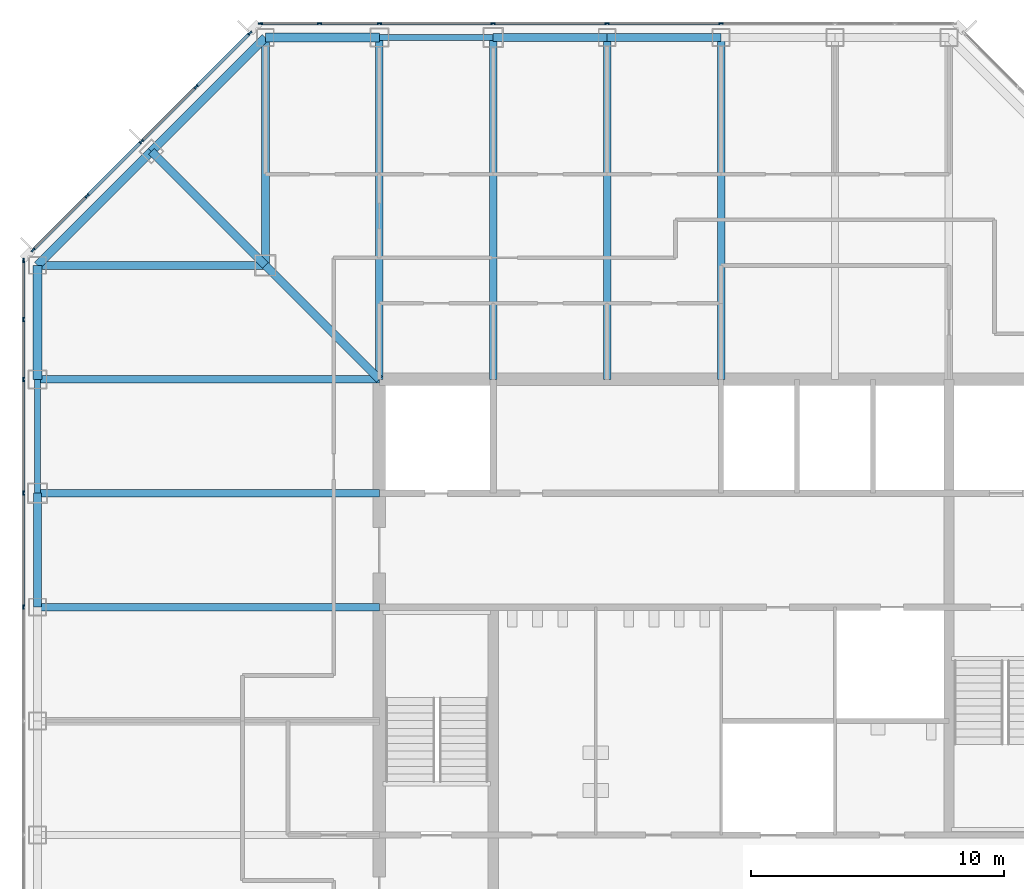
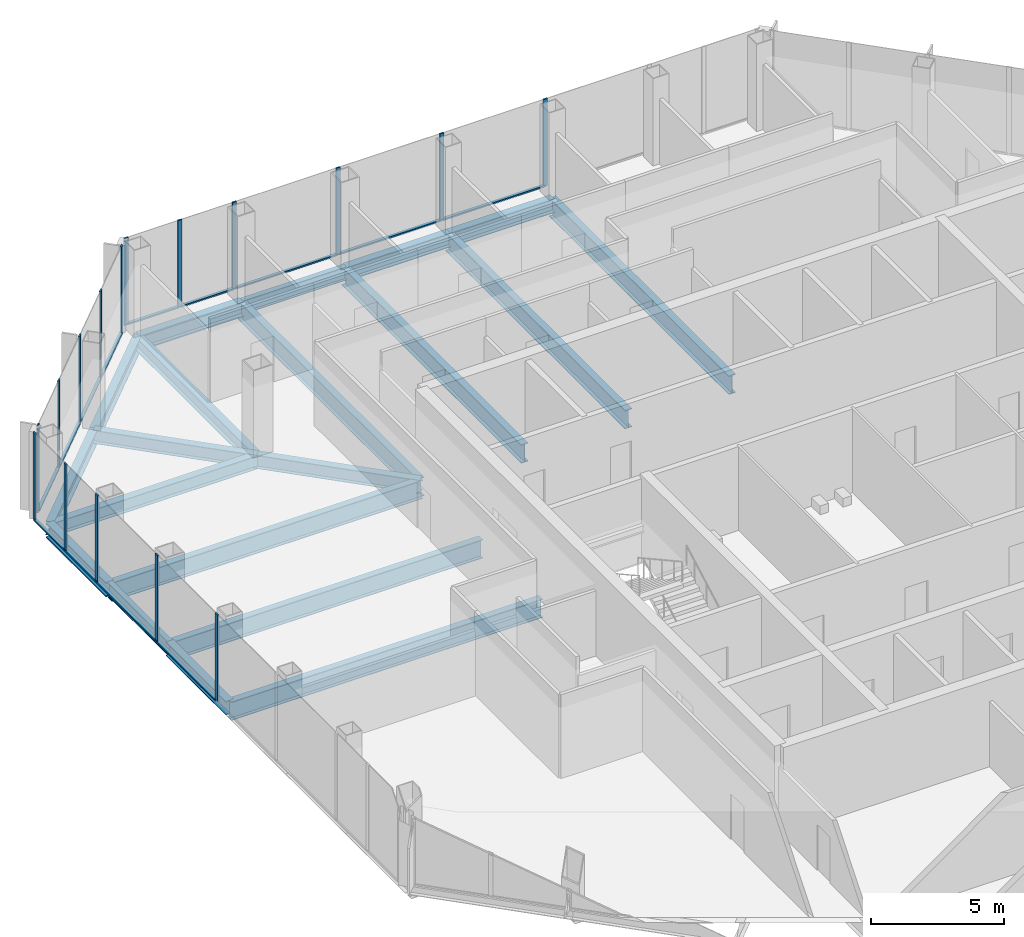
# One storey, part 5 of 13: 29 members, 20 beams, 3 elements without a shape of their own.
"""IFC4 building model written with IfcOpenShell, lengths in metres."""

from ifc_helpers import new_model, si_unit, direction, frame, origin, origin_2d, place, context, subcontext, project, spatial, rectangle, i_section, extrude, material, material_profile, profile_set, type_object, element, aggregate, save


model = new_model("IFC4")

# Units and contexts
model_context = context("Model", 3, precision=1e-05, world=origin(), true_north=direction((0.0, 1.0)))
body_context = subcontext(model_context, "Body", "Model", "MODEL_VIEW")
ifc_project = project(units=[si_unit("LENGTHUNIT", "METRE"), si_unit("AREAUNIT", "SQUARE_METRE"), si_unit("VOLUMEUNIT", "CUBIC_METRE"), si_unit("PLANEANGLEUNIT", "RADIAN"), si_unit("MASSUNIT", "GRAM", prefix="KILO")], contexts=[model_context])

# Site, building, storey
site_placement = place(None, origin())
site = spatial("IfcSite", under=ifc_project, at=site_placement, CompositionType="ELEMENT")
building_placement = place(site_placement, origin())
building = spatial("IfcBuilding", under=site, at=building_placement, Name="Corais Broadcast Tower", CompositionType="ELEMENT")
storey_placement = place(building_placement, frame((0.0, 0.0, 171.60009765625)))
storey = spatial("IfcBuildingStorey", under=building, at=storey_placement, Name="L39", CompositionType="ELEMENT", Elevation=171.60009765625)

# Beams
ifc_material_1 = material(Name="Steel ASTM A572 Grade 50", Category="steel")
ifc_material_profile_1 = material_profile(ifc_material_1, i_section(OverallWidth=0.323974609375, OverallDepth=0.611083984375, WebThickness=0.0126953125, FlangeThickness=0.01904296875, at=origin_2d()), Name="W610x155")
ifc_profile_set_1 = profile_set([ifc_material_profile_1], Name="Steel ASTM A572 Grade 50")
beam_type_1 = type_object("IfcBeamType", Name="Chamfer tie W610x155", PredefinedType="BEAM", material=ifc_profile_set_1)
beam_1_placement = place(storey_placement, frame((4.5, 49.5, -0.465576171875), z_axis=(0.707106781187, -0.707106781187, 0.0), x_axis=(0.707106781187, 0.707106781187, 0.0)))
element("IfcBeam", 1, at=beam_1_placement, inside=storey, type_object=beam_type_1, Name="B5 M/4 to L/5", PredefinedType="BEAM", context=body_context, shape_type="SweptSolid", body=[
    extrude(i_section(OverallWidth=0.323974609375, OverallDepth=0.611083984375, WebThickness=0.0126953125, FlangeThickness=0.01904296875, at=origin_2d()), origin(), (0.0, 0.0, 1.0), 6.364013671875),
])
ifc_material_2 = material(Name="Steel ASTM A572 Grade 50", Category="steel")
ifc_material_profile_2 = material_profile(ifc_material_2, i_section(OverallWidth=0.323974609375, OverallDepth=0.611083984375, WebThickness=0.0126953125, FlangeThickness=0.01904296875, at=origin_2d()), Name="W610x155")
ifc_profile_set_2 = profile_set([ifc_material_profile_2], Name="Steel ASTM A572 Grade 50")
beam_type_2 = type_object("IfcBeamType", Name="Corner diagonal W610x155", PredefinedType="BEAM", material=ifc_profile_set_2)
beam_2_placement = place(storey_placement, frame((9.0, 45.0, -0.465576171875), z_axis=(0.707106781187, -0.707106781187, 0.0), x_axis=(0.707106781187, 0.707106781187, 0.0)))
element("IfcBeam", 2, at=beam_2_placement, inside=storey, type_object=beam_type_2, Name="B6 L/5 to K/6", PredefinedType="BEAM", context=body_context, shape_type="SweptSolid", body=[
    extrude(i_section(OverallWidth=0.323974609375, OverallDepth=0.611083984375, WebThickness=0.0126953125, FlangeThickness=0.01904296875, at=origin_2d()), origin(), (0.0, 0.0, 1.0), 6.364013671875),
])
ifc_material_3 = material(Name="Steel ASTM A572 Grade 50", Category="steel")
ifc_material_profile_3 = material_profile(ifc_material_3, i_section(OverallWidth=0.323974609375, OverallDepth=0.611083984375, WebThickness=0.0126953125, FlangeThickness=0.01904296875, at=origin_2d()), Name="W610x155")
ifc_profile_set_3 = profile_set([ifc_material_profile_3], Name="Steel ASTM A572 Grade 50")
beam_type_3 = type_object("IfcBeamType", Name="Corner girder W610x155", PredefinedType="BEAM", material=ifc_profile_set_3)
for number, where, z_axis, x_axis, name in (
    (3, (0.0, 45.0, -0.465576171875), (1.0, 0.0, 0.0), (0.0, 1.0, 0.0), "B4 L/3 to L/5"),
    (4, (9.0, 54.0, -0.465576171875), (0.0, -1.0, 0.0), (1.0, 0.0, 0.0), "B4 N/5 to L/5"),
):
    element("IfcBeam", number, at=place(storey_placement, frame(where, z_axis=z_axis, x_axis=x_axis)), inside=storey, type_object=beam_type_3, Name=name, PredefinedType="BEAM", context=body_context, shape_type="SweptSolid", body=[
        extrude(i_section(OverallWidth=0.323974609375, OverallDepth=0.611083984375, WebThickness=0.0126953125, FlangeThickness=0.01904296875, at=origin_2d()), origin(), (0.0, 0.0, 1.0), 9.0),
    ])
ifc_material_4 = material(Name="Steel ASTM A572 Grade 50", Category="steel")
ifc_material_profile_4 = material_profile(ifc_material_4, i_section(OverallWidth=0.337890625, OverallDepth=0.677978515625, WebThickness=0.029541015625, FlangeThickness=0.052978515625, at=origin_2d()), Name="W610x415")
ifc_profile_set_4 = profile_set([ifc_material_profile_4], Name="Steel ASTM A572 Grade 50")
beam_type_4 = type_object("IfcBeamType", Name="Corner spandrel W610x415", PredefinedType="BEAM", material=ifc_profile_set_4)
for number, where, z_axis, x_axis, name in (
    (5, (0.0, 45.0, -0.4990234375), (0.0, -1.0, 0.0), (1.0, 0.0, 0.0), "SB10 L/3 to K/3"),
    (6, (13.5, 54.0, -0.4990234375), (-1.0, 0.0, 0.0), (0.0, -1.0, 0.0), "SB10 N/6 to N/5"),
):
    element("IfcBeam", number, at=place(storey_placement, frame(where, z_axis=z_axis, x_axis=x_axis)), inside=storey, type_object=beam_type_4, Name=name, PredefinedType="BEAM", context=body_context, shape_type="SweptSolid", body=[
        extrude(i_section(OverallWidth=0.337890625, OverallDepth=0.677978515625, WebThickness=0.029541015625, FlangeThickness=0.052978515625, at=origin_2d()), origin(), (0.0, 0.0, 1.0), 4.5),
    ])
ifc_material_5 = material(Name="Steel ASTM A572 Grade 50", Category="steel")
ifc_material_profile_5 = material_profile(ifc_material_5, i_section(OverallWidth=0.2939453125, OverallDepth=0.85107421875, WebThickness=0.01611328125, FlangeThickness=0.02685546875, at=origin_2d()), Name="W840x226")
ifc_profile_set_5 = profile_set([ifc_material_profile_5], Name="Steel ASTM A572 Grade 50")
beam_type_5 = type_object("IfcBeamType", Name="Floor beam W840x226", PredefinedType="BEAM", material=ifc_profile_set_5)
for number, where, z_axis, x_axis, name in (
    (7, (0.0, 31.5, -0.585693359375), (1.0, 0.0, 0.0), (0.0, 1.0, 0.0), "B1 H/3 to H/6"),
    (8, (0.0, 36.0, -0.585693359375), (1.0, 0.0, 0.0), (0.0, 1.0, 0.0), "B1 J/3 to J/6"),
    (9, (0.0, 40.5, -0.585693359375), (1.0, 0.0, 0.0), (0.0, 1.0, 0.0), "B1 K/3 to K/6"),
    (10, (13.5, 54.0, -0.585693359375), (0.0, -1.0, 0.0), (1.0, 0.0, 0.0), "B1 N/6 to K/6"),
    (11, (18.0, 54.0, -0.585693359375), (0.0, -1.0, 0.0), (1.0, 0.0, 0.0), "B1 N/7 to K/7"),
    (12, (22.5, 54.0, -0.585693359375), (0.0, -1.0, 0.0), (1.0, 0.0, 0.0), "B1 N/8 to K/8"),
    (13, (27.0, 54.0, -0.585693359375), (0.0, -1.0, 0.0), (1.0, 0.0, 0.0), "B1 N/9 to K/9"),
):
    element("IfcBeam", number, at=place(storey_placement, frame(where, z_axis=z_axis, x_axis=x_axis)), inside=storey, type_object=beam_type_5, Name=name, PredefinedType="BEAM", context=body_context, shape_type="SweptSolid", body=[
        extrude(i_section(OverallWidth=0.2939453125, OverallDepth=0.85107421875, WebThickness=0.01611328125, FlangeThickness=0.02685546875, at=origin_2d()), origin(), (0.0, 0.0, 1.0), 13.5),
    ])

# Curtain wall, members
ifc_material_6 = material(Name="Aluminium and glass", Category="aluminium")
curtain_wall_type = type_object("IfcCurtainWallType", Name="Unitised fritted curtain wall CW2", PredefinedType="NOTDEFINED", material=ifc_material_6)
curtain_wall_1_placement = place(storey_placement, origin())
curtain_wall_1 = element("IfcCurtainWall", 14, at=curtain_wall_1_placement, inside=storey, type_object=curtain_wall_type, Name="CW2 curtain wall L39 2", PredefinedType="NOTDEFINED")
ifc_material_7 = material(Name="Aluminium 6063-T6", Category="aluminium")
ifc_material_profile_6 = material_profile(ifc_material_7, rectangle(XDim=0.06494140625, YDim=0.179931640625, at=origin_2d()), Name="Mullion CW2 65x180")
ifc_profile_set_6 = profile_set([ifc_material_profile_6], Name="Aluminium 6063-T6")
member_type_1 = type_object("IfcMemberType", Name="Mullion CW2 65x180", PredefinedType="MULLION", material=ifc_profile_set_6)
member_1_placement = place(storey_placement, frame((-0.550048828125, 31.5, 0.0), z_axis=(0.0, 0.0, 1.0), x_axis=(-1.0, 0.0, 0.0)))
member_1 = element("IfcMember", 15, at=member_1_placement, type_object=member_type_1, Name="CW2 mullion 5", PredefinedType="MULLION", context=body_context, shape_type="SweptSolid", body=[
    extrude(rectangle(XDim=0.06494140625, YDim=0.179931640625, at=origin_2d()), origin(), (0.0, 0.0, 1.0), 4.0),
])
member_2_placement = place(storey_placement, frame((-0.550048828125, 36.0, 0.0), z_axis=(0.0, 0.0, 1.0), x_axis=(-1.0, 0.0, 0.0)))
member_2 = element("IfcMember", 16, at=member_2_placement, type_object=member_type_1, Name="CW2 mullion 6", PredefinedType="MULLION", context=body_context, shape_type="SweptSolid", body=[
    extrude(rectangle(XDim=0.06494140625, YDim=0.179931640625, at=origin_2d()), origin(), (0.0, 0.0, 1.0), 4.0),
])
member_3_placement = place(storey_placement, frame((-0.550048828125, 40.5, 0.0), z_axis=(0.0, 0.0, 1.0), x_axis=(-1.0, 0.0, 0.0)))
member_3 = element("IfcMember", 17, at=member_3_placement, type_object=member_type_1, Name="CW2 mullion 7", PredefinedType="MULLION", context=body_context, shape_type="SweptSolid", body=[
    extrude(rectangle(XDim=0.06494140625, YDim=0.179931640625, at=origin_2d()), origin(), (0.0, 0.0, 1.0), 4.0),
])
member_4_placement = place(storey_placement, frame((-0.550048828125, 42.864013671875, 0.0), z_axis=(0.0, 0.0, 1.0), x_axis=(-1.0, 0.0, 0.0)))
member_4 = element("IfcMember", 18, at=member_4_placement, type_object=member_type_1, Name="CW2 mullion 8", PredefinedType="MULLION", context=body_context, shape_type="SweptSolid", body=[
    extrude(rectangle(XDim=0.06494140625, YDim=0.179931640625, at=origin_2d()), origin(), (0.0, 0.0, 1.0), 4.0),
])
member_5_placement = place(storey_placement, frame((-0.550048828125, 45.1953125, 0.0), z_axis=(0.0, 0.0, 1.0), x_axis=(-1.0, 0.0, 0.0)))
member_5 = element("IfcMember", 19, at=member_5_placement, type_object=member_type_1, Name="CW2 mullion 9", PredefinedType="MULLION", context=body_context, shape_type="SweptSolid", body=[
    extrude(rectangle(XDim=0.06494140625, YDim=0.179931640625, at=origin_2d()), origin(), (0.0, 0.0, 1.0), 4.0),
])

curtain_wall_2_placement = place(storey_placement, origin())
curtain_wall_2 = element("IfcCurtainWall", 20, at=curtain_wall_2_placement, inside=storey, type_object=curtain_wall_type, Name="CW2 curtain wall L39 3", PredefinedType="NOTDEFINED")
member_6_placement = place(storey_placement, frame((-0.17333984375, 45.6044921875, 0.0), z_axis=(0.0, 0.0, 1.0), x_axis=(-0.707106781187, 0.707106781187, 0.0)))
member_6 = element("IfcMember", 21, at=member_6_placement, type_object=member_type_1, Name="CW2 mullion 1", PredefinedType="MULLION", context=body_context, shape_type="SweptSolid", body=[
    extrude(rectangle(XDim=0.06494140625, YDim=0.179931640625, at=origin_2d()), origin(), (0.0, 0.0, 1.0), 4.0),
])
member_7_placement = place(storey_placement, frame((1.957275390625, 47.735107421875, 0.0), z_axis=(0.0, 0.0, 1.0), x_axis=(-0.707106781187, 0.707106781187, 0.0)))
member_7 = element("IfcMember", 22, at=member_7_placement, type_object=member_type_1, Name="CW2 mullion 2", PredefinedType="MULLION", context=body_context, shape_type="SweptSolid", body=[
    extrude(rectangle(XDim=0.06494140625, YDim=0.179931640625, at=origin_2d()), origin(), (0.0, 0.0, 1.0), 4.0),
])
member_8_placement = place(storey_placement, frame((4.111083984375, 49.888916015625, 0.0), z_axis=(0.0, 0.0, 1.0), x_axis=(-0.707106781187, 0.707106781187, 0.0)))
member_8 = element("IfcMember", 23, at=member_8_placement, type_object=member_type_1, Name="CW2 mullion 3", PredefinedType="MULLION", context=body_context, shape_type="SweptSolid", body=[
    extrude(rectangle(XDim=0.06494140625, YDim=0.179931640625, at=origin_2d()), origin(), (0.0, 0.0, 1.0), 4.0),
])
member_9_placement = place(storey_placement, frame((6.264892578125, 52.042724609375, 0.0), z_axis=(0.0, 0.0, 1.0), x_axis=(-0.707106781187, 0.707106781187, 0.0)))
member_9 = element("IfcMember", 24, at=member_9_placement, type_object=member_type_1, Name="CW2 mullion 4", PredefinedType="MULLION", context=body_context, shape_type="SweptSolid", body=[
    extrude(rectangle(XDim=0.06494140625, YDim=0.179931640625, at=origin_2d()), origin(), (0.0, 0.0, 1.0), 4.0),
])
member_10_placement = place(storey_placement, frame((8.3955078125, 54.17333984375, 0.0), z_axis=(0.0, 0.0, 1.0), x_axis=(-0.707106781187, 0.707106781187, 0.0)))
member_10 = element("IfcMember", 25, at=member_10_placement, type_object=member_type_1, Name="CW2 mullion 5", PredefinedType="MULLION", context=body_context, shape_type="SweptSolid", body=[
    extrude(rectangle(XDim=0.06494140625, YDim=0.179931640625, at=origin_2d()), origin(), (0.0, 0.0, 1.0), 4.0),
])

curtain_wall_3_placement = place(storey_placement, origin())
curtain_wall_3 = element("IfcCurtainWall", 26, at=curtain_wall_3_placement, inside=storey, type_object=curtain_wall_type, Name="CW2 curtain wall L39 4", PredefinedType="NOTDEFINED")
member_11_placement = place(storey_placement, frame((8.8046875, 54.550048828125, 0.0), z_axis=(0.0, 0.0, 1.0), x_axis=(0.0, 1.0, 0.0)))
member_11 = element("IfcMember", 27, at=member_11_placement, type_object=member_type_1, Name="CW2 mullion 1", PredefinedType="MULLION", context=body_context, shape_type="SweptSolid", body=[
    extrude(rectangle(XDim=0.06494140625, YDim=0.179931640625, at=origin_2d()), origin(), (0.0, 0.0, 1.0), 4.0),
])
member_12_placement = place(storey_placement, frame((11.135986328125, 54.550048828125, 0.0), z_axis=(0.0, 0.0, 1.0), x_axis=(0.0, 1.0, 0.0)))
member_12 = element("IfcMember", 28, at=member_12_placement, type_object=member_type_1, Name="CW2 mullion 2", PredefinedType="MULLION", context=body_context, shape_type="SweptSolid", body=[
    extrude(rectangle(XDim=0.06494140625, YDim=0.179931640625, at=origin_2d()), origin(), (0.0, 0.0, 1.0), 4.0),
])
member_13_placement = place(storey_placement, frame((13.5, 54.550048828125, 0.0), z_axis=(0.0, 0.0, 1.0), x_axis=(0.0, 1.0, 0.0)))
member_13 = element("IfcMember", 29, at=member_13_placement, type_object=member_type_1, Name="CW2 mullion 3", PredefinedType="MULLION", context=body_context, shape_type="SweptSolid", body=[
    extrude(rectangle(XDim=0.06494140625, YDim=0.179931640625, at=origin_2d()), origin(), (0.0, 0.0, 1.0), 4.0),
])
member_14_placement = place(storey_placement, frame((18.0, 54.550048828125, 0.0), z_axis=(0.0, 0.0, 1.0), x_axis=(0.0, 1.0, 0.0)))
member_14 = element("IfcMember", 30, at=member_14_placement, type_object=member_type_1, Name="CW2 mullion 4", PredefinedType="MULLION", context=body_context, shape_type="SweptSolid", body=[
    extrude(rectangle(XDim=0.06494140625, YDim=0.179931640625, at=origin_2d()), origin(), (0.0, 0.0, 1.0), 4.0),
])
member_15_placement = place(storey_placement, frame((22.5, 54.550048828125, 0.0), z_axis=(0.0, 0.0, 1.0), x_axis=(0.0, 1.0, 0.0)))
member_15 = element("IfcMember", 31, at=member_15_placement, type_object=member_type_1, Name="CW2 mullion 5", PredefinedType="MULLION", context=body_context, shape_type="SweptSolid", body=[
    extrude(rectangle(XDim=0.06494140625, YDim=0.179931640625, at=origin_2d()), origin(), (0.0, 0.0, 1.0), 4.0),
])
member_16_placement = place(storey_placement, frame((27.0, 54.550048828125, 0.0), z_axis=(0.0, 0.0, 1.0), x_axis=(0.0, 1.0, 0.0)))
member_16 = element("IfcMember", 32, at=member_16_placement, type_object=member_type_1, Name="CW2 mullion 6", PredefinedType="MULLION", context=body_context, shape_type="SweptSolid", body=[
    extrude(rectangle(XDim=0.06494140625, YDim=0.179931640625, at=origin_2d()), origin(), (0.0, 0.0, 1.0), 4.0),
])

# Beams
ifc_material_8 = material(Name="Steel ASTM A572 Grade 50", Category="steel")
ifc_material_profile_7 = material_profile(ifc_material_8, i_section(OverallWidth=0.22900390625, OverallDepth=0.612060546875, WebThickness=0.011962890625, FlangeThickness=0.01953125, at=origin_2d()), Name="W610x125")
ifc_profile_set_7 = profile_set([ifc_material_profile_7], Name="Steel ASTM A572 Grade 50")
beam_type_6 = type_object("IfcBeamType", Name="Pinned spandrel W610x125", PredefinedType="BEAM", material=ifc_profile_set_7)
for number, where, z_axis, x_axis, name in (
    (33, (0.0, 40.5, -0.466064453125), (0.0, -1.0, 0.0), (1.0, 0.0, 0.0), "SB7 K/3 to J/3"),
    (34, (18.0, 54.0, -0.466064453125), (-1.0, 0.0, 0.0), (0.0, -1.0, 0.0), "SB7 N/7 to N/6"),
):
    element("IfcBeam", number, at=place(storey_placement, frame(where, z_axis=z_axis, x_axis=x_axis)), inside=storey, type_object=beam_type_6, Name=name, PredefinedType="BEAM", context=body_context, shape_type="SweptSolid", body=[
        extrude(i_section(OverallWidth=0.22900390625, OverallDepth=0.612060546875, WebThickness=0.011962890625, FlangeThickness=0.01953125, at=origin_2d()), origin(), (0.0, 0.0, 1.0), 4.5),
    ])
ifc_material_9 = material(Name="Steel ASTM A572 Grade 50", Category="steel")
ifc_material_profile_8 = material_profile(ifc_material_9, i_section(OverallWidth=0.3291015625, OverallDepth=0.635009765625, WebThickness=0.017822265625, FlangeThickness=0.031005859375, at=origin_2d()), Name="W610x241")
ifc_profile_set_8 = profile_set([ifc_material_profile_8], Name="Steel ASTM A572 Grade 50")
beam_type_7 = type_object("IfcBeamType", Name="Spandrel W610x241", PredefinedType="BEAM", material=ifc_profile_set_8)
for number, where, z_axis, x_axis, name in (
    (35, (0.0, 36.0, -0.4775390625), (0.0, -1.0, 0.0), (1.0, 0.0, 0.0), "SB1 J/3 to H/3"),
    (36, (22.5, 54.0, -0.4775390625), (-1.0, 0.0, 0.0), (0.0, -1.0, 0.0), "SB1 N/8 to N/7"),
    (37, (27.0, 54.0, -0.4775390625), (-1.0, 0.0, 0.0), (0.0, -1.0, 0.0), "SB1 N/9 to N/8"),
):
    element("IfcBeam", number, at=place(storey_placement, frame(where, z_axis=z_axis, x_axis=x_axis)), inside=storey, type_object=beam_type_7, Name=name, PredefinedType="BEAM", context=body_context, shape_type="SweptSolid", body=[
        extrude(i_section(OverallWidth=0.3291015625, OverallDepth=0.635009765625, WebThickness=0.017822265625, FlangeThickness=0.031005859375, at=origin_2d()), origin(), (0.0, 0.0, 1.0), 4.5),
    ])
for number, where, z_axis, x_axis, name in (
    (38, (4.5, 49.5, -0.4775390625), (-0.707106781187, -0.707106781187, 0.0), (0.707106781187, -0.707106781187, 0.0), "SB1 M/4 to L/3"),
    (39, (9.0, 54.0, -0.4775390625), (-0.707106781187, -0.707106781187, 0.0), (0.707106781187, -0.707106781187, 0.0), "SB1 N/5 to M/4"),
):
    element("IfcBeam", number, at=place(storey_placement, frame(where, z_axis=z_axis, x_axis=x_axis)), inside=storey, type_object=beam_type_7, Name=name, PredefinedType="BEAM", context=body_context, shape_type="SweptSolid", body=[
        extrude(i_section(OverallWidth=0.3291015625, OverallDepth=0.635009765625, WebThickness=0.017822265625, FlangeThickness=0.031005859375, at=origin_2d()), origin(), (0.0, 0.0, 1.0), 6.364013671875),
    ])

# Member
ifc_material_10 = material(Name="Aluminium 6063-T6", Category="aluminium")
ifc_material_profile_9 = material_profile(ifc_material_10, rectangle(XDim=0.1298828125, YDim=0.06494140625, at=origin_2d()), Name="Transom CW2 65x130")
ifc_profile_set_9 = profile_set([ifc_material_profile_9], Name="Aluminium 6063-T6")
member_type_2 = type_object("IfcMemberType", Name="Transom CW2 65x130", PredefinedType="USERDEFINED", material=ifc_profile_set_9)
member_17_placement = place(storey_placement, frame((-0.550048828125, 31.532470703125, 0.032470703125), z_axis=(0.0, 1.0, 0.0), x_axis=(-1.0, 0.0, 0.0)))
member_17 = element("IfcMember", 40, at=member_17_placement, type_object=member_type_2, Name="CW2 transom 5.1", ObjectType="TRANSOM", PredefinedType="USERDEFINED", context=body_context, shape_type="SweptSolid", body=[
    extrude(rectangle(XDim=0.1298828125, YDim=0.06494140625, at=origin_2d()), origin(), (0.0, 0.0, 1.0), 4.43505859375),
])

member_18_placement = place(storey_placement, frame((-0.550048828125, 36.032470703125, 0.032470703125), z_axis=(0.0, 1.0, 0.0), x_axis=(-1.0, 0.0, 0.0)))
member_18 = element("IfcMember", 41, at=member_18_placement, type_object=member_type_2, Name="CW2 transom 6.1", ObjectType="TRANSOM", PredefinedType="USERDEFINED", context=body_context, shape_type="SweptSolid", body=[
    extrude(rectangle(XDim=0.1298828125, YDim=0.06494140625, at=origin_2d()), origin(), (0.0, 0.0, 1.0), 4.43505859375),
])

member_19_placement = place(storey_placement, frame((-0.550048828125, 40.532470703125, 0.032470703125), z_axis=(0.0, 1.0, 0.0), x_axis=(-1.0, 0.0, 0.0)))
member_19 = element("IfcMember", 42, at=member_19_placement, type_object=member_type_2, Name="CW2 transom 7.1", ObjectType="TRANSOM", PredefinedType="USERDEFINED", context=body_context, shape_type="SweptSolid", body=[
    extrude(rectangle(XDim=0.1298828125, YDim=0.06494140625, at=origin_2d()), origin(), (0.0, 0.0, 1.0), 2.298828125),
])

member_20_placement = place(storey_placement, frame((-0.550048828125, 42.896484375, 0.032470703125), z_axis=(0.0, 1.0, 0.0), x_axis=(-1.0, 0.0, 0.0)))
member_20 = element("IfcMember", 43, at=member_20_placement, type_object=member_type_2, Name="CW2 transom 8.1", ObjectType="TRANSOM", PredefinedType="USERDEFINED", context=body_context, shape_type="SweptSolid", body=[
    extrude(rectangle(XDim=0.1298828125, YDim=0.06494140625, at=origin_2d()), origin(), (0.0, 0.0, 1.0), 2.266357421875),
])

aggregate(curtain_wall_1, [member_1, member_2, member_3, member_4, member_5, member_17, member_18, member_19, member_20])

member_21_placement = place(storey_placement, frame((-0.150390625, 45.62744140625, 0.032470703125), z_axis=(0.707106781187, 0.707106781187, 0.0), x_axis=(-0.707106781187, 0.707106781187, 0.0)))
member_21 = element("IfcMember", 44, at=member_21_placement, type_object=member_type_2, Name="CW2 transom 1.1", ObjectType="TRANSOM", PredefinedType="USERDEFINED", context=body_context, shape_type="SweptSolid", body=[
    extrude(rectangle(XDim=0.1298828125, YDim=0.06494140625, at=origin_2d()), origin(), (0.0, 0.0, 1.0), 2.9482421875),
])

member_22_placement = place(storey_placement, frame((1.980224609375, 47.758056640625, 0.032470703125), z_axis=(0.707106781187, 0.707106781187, 0.0), x_axis=(-0.707106781187, 0.707106781187, 0.0)))
member_22 = element("IfcMember", 45, at=member_22_placement, type_object=member_type_2, Name="CW2 transom 2.1", ObjectType="TRANSOM", PredefinedType="USERDEFINED", context=body_context, shape_type="SweptSolid", body=[
    extrude(rectangle(XDim=0.1298828125, YDim=0.06494140625, at=origin_2d()), origin(), (0.0, 0.0, 1.0), 2.98095703125),
])

member_23_placement = place(storey_placement, frame((4.134033203125, 49.911865234375, 0.032470703125), z_axis=(0.707106781187, 0.707106781187, 0.0), x_axis=(-0.707106781187, 0.707106781187, 0.0)))
member_23 = element("IfcMember", 46, at=member_23_placement, type_object=member_type_2, Name="CW2 transom 3.1", ObjectType="TRANSOM", PredefinedType="USERDEFINED", context=body_context, shape_type="SweptSolid", body=[
    extrude(rectangle(XDim=0.1298828125, YDim=0.06494140625, at=origin_2d()), origin(), (0.0, 0.0, 1.0), 2.98095703125),
])

member_24_placement = place(storey_placement, frame((6.287841796875, 52.065673828125, 0.032470703125), z_axis=(0.707106781187, 0.707106781187, 0.0), x_axis=(-0.707106781187, 0.707106781187, 0.0)))
member_24 = element("IfcMember", 47, at=member_24_placement, type_object=member_type_2, Name="CW2 transom 4.1", ObjectType="TRANSOM", PredefinedType="USERDEFINED", context=body_context, shape_type="SweptSolid", body=[
    extrude(rectangle(XDim=0.1298828125, YDim=0.06494140625, at=origin_2d()), origin(), (0.0, 0.0, 1.0), 2.9482421875),
])

aggregate(curtain_wall_2, [member_6, member_7, member_8, member_9, member_10, member_21, member_22, member_23, member_24])

member_25_placement = place(storey_placement, frame((8.837158203125, 54.550048828125, 0.032470703125), z_axis=(1.0, 0.0, 0.0), x_axis=(0.0, 1.0, 0.0)))
member_25 = element("IfcMember", 48, at=member_25_placement, type_object=member_type_2, Name="CW2 transom 1.1", ObjectType="TRANSOM", PredefinedType="USERDEFINED", context=body_context, shape_type="SweptSolid", body=[
    extrude(rectangle(XDim=0.1298828125, YDim=0.06494140625, at=origin_2d()), origin(), (0.0, 0.0, 1.0), 2.266357421875),
])

member_26_placement = place(storey_placement, frame((11.168701171875, 54.550048828125, 0.032470703125), z_axis=(1.0, 0.0, 0.0), x_axis=(0.0, 1.0, 0.0)))
member_26 = element("IfcMember", 49, at=member_26_placement, type_object=member_type_2, Name="CW2 transom 2.1", ObjectType="TRANSOM", PredefinedType="USERDEFINED", context=body_context, shape_type="SweptSolid", body=[
    extrude(rectangle(XDim=0.1298828125, YDim=0.06494140625, at=origin_2d()), origin(), (0.0, 0.0, 1.0), 2.298828125),
])

member_27_placement = place(storey_placement, frame((13.532470703125, 54.550048828125, 0.032470703125), z_axis=(1.0, 0.0, 0.0), x_axis=(0.0, 1.0, 0.0)))
member_27 = element("IfcMember", 50, at=member_27_placement, type_object=member_type_2, Name="CW2 transom 3.1", ObjectType="TRANSOM", PredefinedType="USERDEFINED", context=body_context, shape_type="SweptSolid", body=[
    extrude(rectangle(XDim=0.1298828125, YDim=0.06494140625, at=origin_2d()), origin(), (0.0, 0.0, 1.0), 4.43505859375),
])

member_28_placement = place(storey_placement, frame((18.032470703125, 54.550048828125, 0.032470703125), z_axis=(1.0, 0.0, 0.0), x_axis=(0.0, 1.0, 0.0)))
member_28 = element("IfcMember", 51, at=member_28_placement, type_object=member_type_2, Name="CW2 transom 4.1", ObjectType="TRANSOM", PredefinedType="USERDEFINED", context=body_context, shape_type="SweptSolid", body=[
    extrude(rectangle(XDim=0.1298828125, YDim=0.06494140625, at=origin_2d()), origin(), (0.0, 0.0, 1.0), 4.43505859375),
])

member_29_placement = place(storey_placement, frame((22.532470703125, 54.550048828125, 0.032470703125), z_axis=(1.0, 0.0, 0.0), x_axis=(0.0, 1.0, 0.0)))
member_29 = element("IfcMember", 52, at=member_29_placement, type_object=member_type_2, Name="CW2 transom 5.1", ObjectType="TRANSOM", PredefinedType="USERDEFINED", context=body_context, shape_type="SweptSolid", body=[
    extrude(rectangle(XDim=0.1298828125, YDim=0.06494140625, at=origin_2d()), origin(), (0.0, 0.0, 1.0), 4.43505859375),
])

aggregate(curtain_wall_3, [member_11, member_12, member_13, member_14, member_15, member_16, member_25, member_26, member_27, member_28, member_29])

save(model, "model.ifc")
